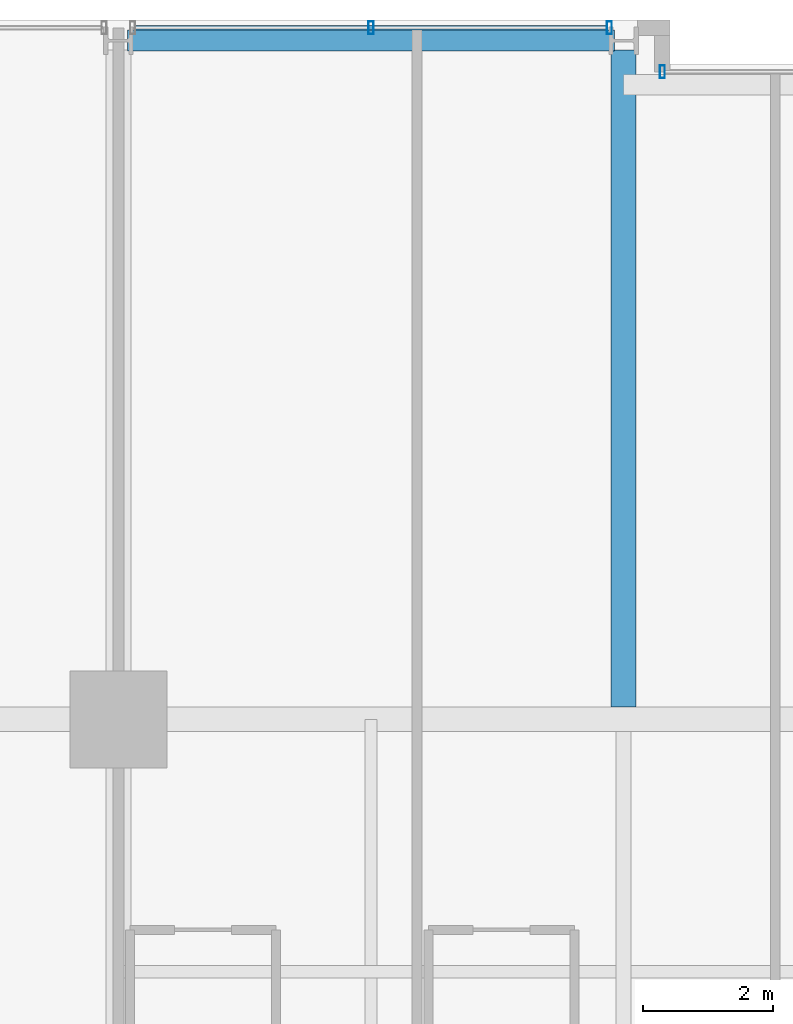
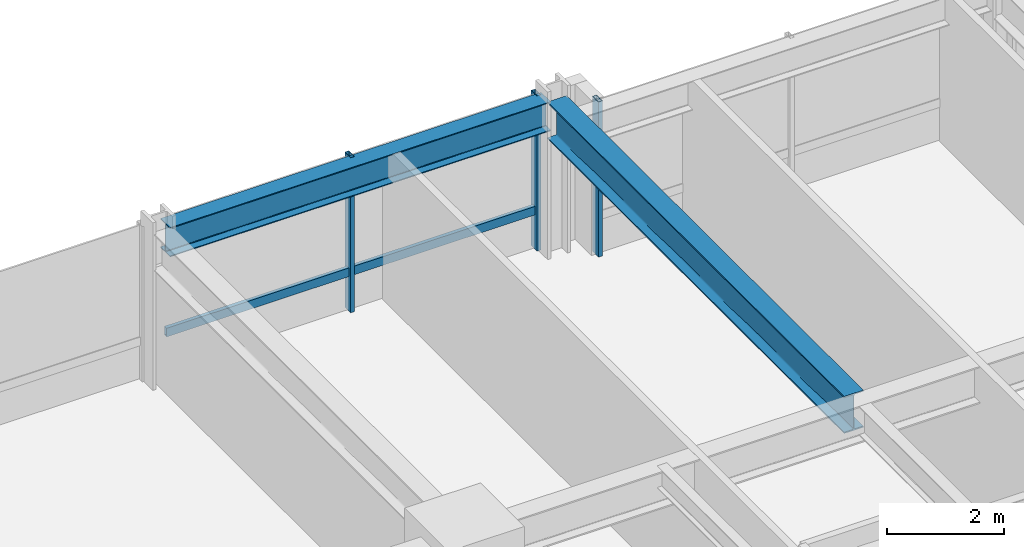
# One storey, part 21 of 35: 4 members, 2 beams, 2 elements without a shape of their own.
"""IFC4 building model written with IfcOpenShell, lengths in metres."""

from ifc_helpers import new_model, si_unit, direction, frame, origin, origin_2d, place, context, subcontext, project, spatial, hollow_rectangle, i_section, extrude, material, layer, layer_set, material_profile, profile_set, type_object, element, aggregate, save


model = new_model("IFC4")

# Units and contexts
model_context = context("Model", 3, precision=1e-05, world=origin(), true_north=direction((0.0, 1.0)))
body_context = subcontext(model_context, "Body", "Model", "MODEL_VIEW")
ifc_project = project(units=[si_unit("LENGTHUNIT", "METRE"), si_unit("AREAUNIT", "SQUARE_METRE"), si_unit("VOLUMEUNIT", "CUBIC_METRE"), si_unit("PLANEANGLEUNIT", "RADIAN"), si_unit("MASSUNIT", "GRAM", prefix="KILO")], contexts=[model_context])

# Site, building, storey
site_placement = place(None, origin())
site = spatial("IfcSite", under=ifc_project, at=site_placement, CompositionType="ELEMENT")
building_placement = place(site_placement, origin())
building = spatial("IfcBuilding", under=site, at=building_placement, Name="Drelvath Grand Hotel", CompositionType="ELEMENT")
storey_placement = place(building_placement, frame((0.0, 0.0, 95.300048828125)))
storey = spatial("IfcBuildingStorey", under=building, at=storey_placement, Name="L23", CompositionType="ELEMENT", Elevation=95.300048828125)

# Curtain wall, members
ifc_material_1 = material(Name="Champagne Bronze Anodised Aluminium Frame", Category="aluminium")
ifc_layer = layer(ifc_material_1, 0.199951171875)
ifc_layer_set = layer_set([ifc_layer], Name="Champagne Bronze Anodised Aluminium Frame")
curtain_wall_type = type_object("IfcCurtainWallType", Name="Stick Curtain Wall CW-03 Champagne Bronze Mid-Rise", PredefinedType="NOTDEFINED", material=ifc_layer_set)
curtain_wall_1_placement = place(storey_placement, origin())
curtain_wall_1 = element("IfcCurtainWall", 1, at=curtain_wall_1_placement, inside=storey, type_object=curtain_wall_type, Name="L23 CW-03 Curtain Wall CW03-L23-NW2", PredefinedType="NOTDEFINED")
ifc_material_profile_1 = material_profile(ifc_material_1, hollow_rectangle(XDim=0.074951171875, YDim=0.179931640625, WallThickness=0.0048828125, at=origin_2d()), Name="HSS180X75X5")
ifc_profile_set_1 = profile_set([ifc_material_profile_1], Name="Champagne Bronze Anodised Aluminium Frame")
member_type_1 = type_object("IfcMemberType", Name="Curtain Wall Horizontal Transom CW-03 HSS180X75X5", PredefinedType="USERDEFINED", material=ifc_profile_set_1)
member_1_placement = place(storey_placement, frame((-15.9404296875, 53.8798828125, 0.81005859375), z_axis=(1.0, 0.0, 0.0), x_axis=(0.0, 1.0, 0.0)))
member_1 = element("IfcMember", 2, at=member_1_placement, type_object=member_type_1, Name="CW03-L23-NW2 Sill Transom", ObjectType="TRANSOM", PredefinedType="USERDEFINED", context=body_context, shape_type="SweptSolid", body=[
    extrude(hollow_rectangle(XDim=0.074951171875, YDim=0.179931640625, WallThickness=0.0048828125, at=origin_2d()), origin(), (0.0, 0.0, 1.0), 7.28076171875),
])
ifc_material_profile_2 = material_profile(ifc_material_1, hollow_rectangle(XDim=0.080078125, YDim=0.199951171875, WallThickness=0.0048828125, at=origin_2d()), Name="HSS200X80X5")
ifc_profile_set_2 = profile_set([ifc_material_profile_2], Name="Champagne Bronze Anodised Aluminium Frame")
member_type_2 = type_object("IfcMemberType", Name="Curtain Wall Vertical Mullion CW-03 HSS200X80X5", PredefinedType="MULLION", material=ifc_profile_set_2)
member_2_placement = place(storey_placement, frame((-12.300048828125, 53.8798828125, 0.0), z_axis=(0.0, 0.0, 1.0), x_axis=(1.0, 0.0, 0.0)))
member_2 = element("IfcMember", 3, at=member_2_placement, type_object=member_type_2, Name="CW03-L23-NW2 Mullion 2", PredefinedType="MULLION", context=body_context, shape_type="SweptSolid", body=[
    extrude(hollow_rectangle(XDim=0.080078125, YDim=0.199951171875, WallThickness=0.0048828125, at=origin_2d()), origin(), (0.0, 0.0, 1.0), 3.239990234375),
])
member_3_placement = place(storey_placement, frame((-8.61962890625, 53.8798828125, 0.0), z_axis=(0.0, 0.0, 1.0), x_axis=(1.0, 0.0, 0.0)))
member_3 = element("IfcMember", 4, at=member_3_placement, type_object=member_type_2, Name="CW03-L23-NW2 Mullion 3", PredefinedType="MULLION", context=body_context, shape_type="SweptSolid", body=[
    extrude(hollow_rectangle(XDim=0.080078125, YDim=0.199951171875, WallThickness=0.0048828125, at=origin_2d()), origin(), (0.0, 0.0, 1.0), 3.239990234375),
])
aggregate(curtain_wall_1, [member_2, member_3, member_1])

# Curtain wall, member
curtain_wall_2_placement = place(storey_placement, origin())
curtain_wall_2 = element("IfcCurtainWall", 5, at=curtain_wall_2_placement, inside=storey, type_object=curtain_wall_type, Name="L23 CW-03 Curtain Wall CW03-L23-NM1", PredefinedType="NOTDEFINED")
member_4_placement = place(storey_placement, frame((-7.800048828125, 53.199951171875, 0.0), z_axis=(0.0, 0.0, 1.0), x_axis=(1.0, 0.0, 0.0)))
member_4 = element("IfcMember", 6, at=member_4_placement, type_object=member_type_2, Name="CW03-L23-NM1 Mullion 1", PredefinedType="MULLION", context=body_context, shape_type="SweptSolid", body=[
    extrude(hollow_rectangle(XDim=0.080078125, YDim=0.199951171875, WallThickness=0.0048828125, at=origin_2d()), origin(), (0.0, 0.0, 1.0), 3.239990234375),
])
aggregate(curtain_wall_2, [member_4])

# Beams
ifc_material_2 = material(Name="Steel ASTM A992 Gr 50", Category="steel")
ifc_material_profile_3 = material_profile(ifc_material_2, i_section(OverallWidth=0.323974609375, OverallDepth=0.611083984375, WebThickness=0.0126953125, FlangeThickness=0.01904296875, FilletRadius=0.02197265625, at=origin_2d()), Name="W24X104")
ifc_profile_set_3 = profile_set([ifc_material_profile_3], Name="Steel ASTM A992 Gr 50")
beam_type_1 = type_object("IfcBeamType", Name="Perimeter Spandrel Beam W24X104", PredefinedType="SPANDREL", material=ifc_profile_set_3)
beam_1_placement = place(storey_placement, frame((-16.06005859375, 53.679931640625, 2.9345703125), z_axis=(1.0, 0.0, 0.0), x_axis=(0.0, 1.0, 0.0)))
element("IfcBeam", 7, at=beam_1_placement, inside=storey, type_object=beam_type_1, Name="L23 Spandrel North W", PredefinedType="SPANDREL", context=body_context, shape_type="SweptSolid", body=[
    extrude(i_section(OverallWidth=0.323974609375, OverallDepth=0.611083984375, WebThickness=0.0126953125, FlangeThickness=0.01904296875, FilletRadius=0.02197265625, at=origin_2d()), origin(), (0.0, 0.0, 1.0), 7.52001953125),
])
ifc_material_profile_4 = material_profile(ifc_material_2, i_section(OverallWidth=0.380615234375, OverallDepth=0.773193359375, WebThickness=0.0166015625, FlangeThickness=0.027099609375, FilletRadius=0.02490234375, at=origin_2d()), Name="W30X173")
ifc_profile_set_4 = profile_set([ifc_material_profile_4], Name="Steel ASTM A992 Gr 50")
beam_type_2 = type_object("IfcBeamType", Name="Primary Floor Girder W30X173", PredefinedType="BEAM", material=ifc_profile_set_4)
beam_2_placement = place(storey_placement, frame((-8.39990234375, 43.390380859375, 2.853271484375), z_axis=(0.0, 1.0, 0.0), x_axis=(-1.0, 0.0, 0.0)))
element("IfcBeam", 8, at=beam_2_placement, inside=storey, type_object=beam_type_2, Name="L23 North Wing Girder 4", PredefinedType="BEAM", context=body_context, shape_type="SweptSolid", body=[
    extrude(i_section(OverallWidth=0.380615234375, OverallDepth=0.773193359375, WebThickness=0.0166015625, FlangeThickness=0.027099609375, FilletRadius=0.02490234375, at=origin_2d()), origin(), (0.0, 0.0, 1.0), 10.149658203125),
])

save(model, "model.ifc")
